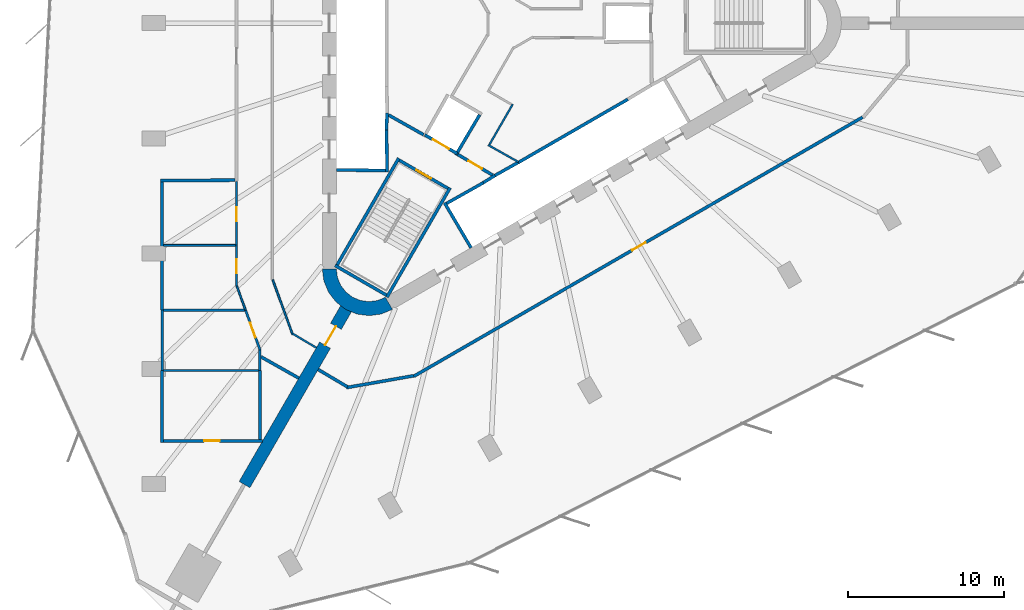
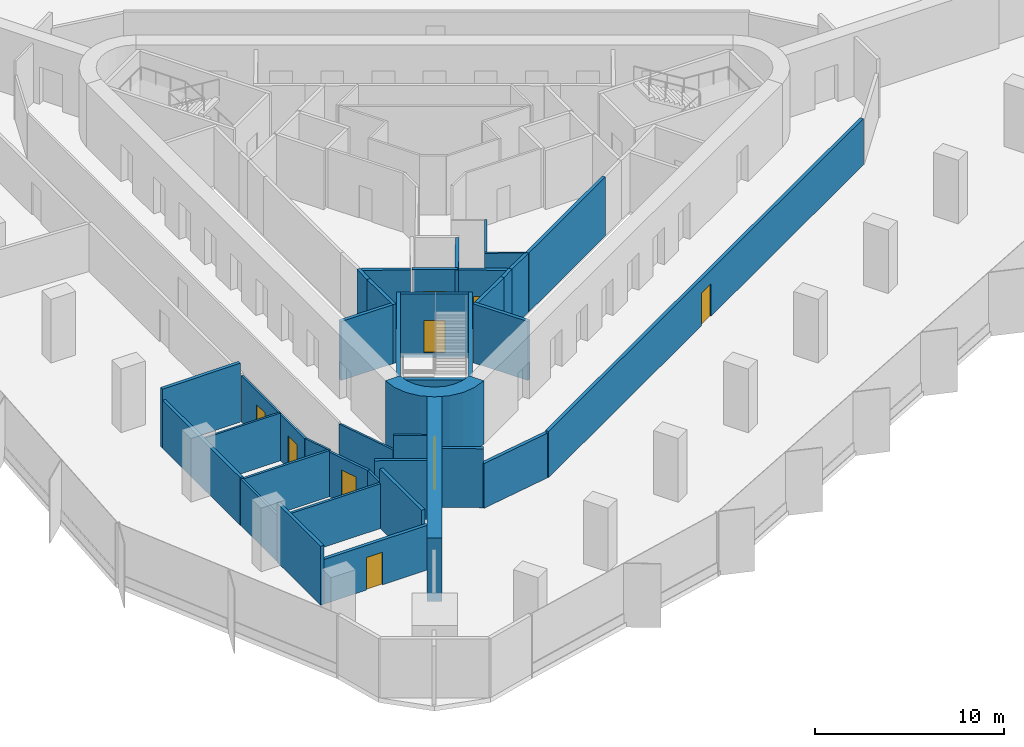
# One storey, part 9 of 14: 39 walls, 9 doors, 9 openings.
"""IFC4 building model written with IfcOpenShell, lengths in metres."""

import ifcopenshell
import ifcopenshell.guid

model = None  # the IFC model being written
_history = None  # IfcOwnerHistory: only IFC2X3 demands one
_inside = {}  # id of a spatial element -> (the spatial element, [elements in it])
_under = {}  # id of a project, library or spatial element -> (it, [spatial elements below it])
_declared = {}  # id of a project -> (the project, [libraries it declares])
_typed = {}  # id of a type object -> (the type object, [elements of that type])
_made_of = {}  # id of a material, layer set ... -> (it, [elements and type objects made of it])


def new_model(schema):
    """Start an empty IFC model of exactly this schema.

    Asked for "IFC4X3", IfcOpenShell would pick the latest addendum, in which some entities
    have other attributes; the version numbers below select the first issue.
    IFC2X3 requires an IfcOwnerHistory on every rooted entity: one is made here for all.
    """
    global model, _history
    if schema == "IFC4X3":
        model = ifcopenshell.file(schema_version=(4, 3, 0, 0))
    else:
        model = ifcopenshell.file(schema=schema)
    _inside.clear()
    _under.clear()
    _declared.clear()
    _typed.clear()
    _made_of.clear()
    _history = None
    if model.schema == "IFC2X3":
        org = make("IfcOrganization", Name="unknown")
        user = make(
            "IfcPersonAndOrganization",
            ThePerson=make("IfcPerson", FamilyName="unknown"),
            TheOrganization=org,
        )
        app = make(
            "IfcApplication",
            ApplicationDeveloper=org,
            Version="unknown",
            ApplicationFullName="unknown",
            ApplicationIdentifier="unknown",
        )
        _history = make(
            "IfcOwnerHistory",
            OwningUser=user,
            OwningApplication=app,
            ChangeAction="ADDED",
            CreationDate=0,
        )
    return model


def make(cls, **values):
    """One entity of the class cls with the attributes given. An attribute that is None is left unset."""
    return model.create_entity(
        cls, **{name: value for name, value in values.items() if value is not None}
    )


def rooted(cls, **values):
    """An entity with a GlobalId (a new one), such as an element, a storey or a relation."""
    return make(cls, GlobalId=ifcopenshell.guid.new(), OwnerHistory=_history, **values)


def si_unit(unit_type, name, prefix=None):
    """IfcSIUnit, for example si_unit("LENGTHUNIT", "METRE", prefix="MILLI")."""
    return make("IfcSIUnit", UnitType=unit_type, Prefix=prefix, Name=name)


def assignment(units):
    """IfcUnitAssignment: the units of a project."""
    return None if units is None else make("IfcUnitAssignment", Units=units)


def point(xyz):
    """IfcCartesianPoint."""
    return None if xyz is None else make("IfcCartesianPoint", Coordinates=xyz)


def direction(xyz):
    """IfcDirection."""
    return None if xyz is None else make("IfcDirection", DirectionRatios=xyz)


def frame(location, z_axis=None, x_axis=None):
    """IfcAxis2Placement3D, a coordinate frame: its origin and axes. An axis left out is left unset."""
    return make(
        "IfcAxis2Placement3D",
        Location=point(location),
        Axis=direction(z_axis),
        RefDirection=direction(x_axis),
    )


def frame_2d(location, x_axis=None):
    """IfcAxis2Placement2D, a coordinate frame in the plane: its origin and x axis."""
    return make(
        "IfcAxis2Placement2D", Location=point(location), RefDirection=direction(x_axis)
    )


def origin():
    """The frame at (0, 0, 0) with its axes left unset."""
    return frame((0.0, 0.0, 0.0))


def place(relative_to, where):
    """IfcLocalPlacement: puts the frame where relative to a parent placement (None: the world)."""
    return make(
        "IfcLocalPlacement", PlacementRelTo=relative_to, RelativePlacement=where
    )


def context(
    kind, dimensions, precision=None, world=None, true_north=None, identifier=None
):
    """IfcGeometricRepresentationContext, for example the 3D "Model" context."""
    return make(
        "IfcGeometricRepresentationContext",
        ContextIdentifier=identifier,
        ContextType=kind,
        CoordinateSpaceDimension=dimensions,
        Precision=precision,
        WorldCoordinateSystem=world,
        TrueNorth=true_north,
    )


def subcontext(parent, identifier, kind, view, scale=None):
    """IfcGeometricRepresentationSubContext, for example "Body" below "Model"."""
    return make(
        "IfcGeometricRepresentationSubContext",
        ContextIdentifier=identifier,
        ContextType=kind,
        ParentContext=parent,
        TargetScale=scale,
        TargetView=view,
    )


def project(units=None, contexts=None):
    """IfcProject with its units and contexts."""
    return rooted(
        "IfcProject",
        Name="project",
        RepresentationContexts=contexts,
        UnitsInContext=assignment(units),
    )


def spatial(cls, under=None, at=None, **own):
    """A site, building, storey or space (cls), placed at a placement, below another one or the project."""
    s = rooted(cls, ObjectPlacement=at, **own)
    if under is not None:
        _under.setdefault(under.id(), (under, []))[1].append(s)
    return s


def polyline(points):
    """IfcPolyline through the points."""
    return make("IfcPolyline", Points=[point(p) for p in points])


def profile(cls, at=None, kind="AREA", **sizes):
    """A parametric profile (cls). Its sizes go by their IFC names, for example OverallWidth=200.0."""
    return make(cls, ProfileType=kind, Position=at, **sizes)


def rectangle(**sizes):
    """IfcRectangleProfileDef."""
    return profile("IfcRectangleProfileDef", **sizes)


def outline(outer, holes=None, kind="AREA"):
    """IfcArbitraryClosedProfileDef: a profile drawn as a closed curve; with holes, ...WithVoids."""
    if holes is None:
        return make("IfcArbitraryClosedProfileDef", ProfileType=kind, OuterCurve=outer)
    return make(
        "IfcArbitraryProfileDefWithVoids",
        ProfileType=kind,
        OuterCurve=outer,
        InnerCurves=holes,
    )


def extrude(swept, where, along, depth):
    """IfcExtrudedAreaSolid: the profile swept, set in the frame where, extruded along a direction by depth."""
    return make(
        "IfcExtrudedAreaSolid",
        SweptArea=swept,
        Position=where,
        ExtrudedDirection=direction(along),
        Depth=depth,
    )


def shape(context_of_items, identifier, shape_type, items):
    """IfcShapeRepresentation: the items that make up one representation, for example the "Body"."""
    return make(
        "IfcShapeRepresentation",
        ContextOfItems=context_of_items,
        RepresentationIdentifier=identifier,
        RepresentationType=shape_type,
        Items=items,
    )


def material(Name=None, Category=None):
    """IfcMaterial."""
    return make("IfcMaterial", Name=Name, Category=Category)


def layer(
    of_material, thickness, ventilated=None, Name=None, Category=None, Priority=None
):
    """IfcMaterialLayer: one layer of a wall or slab, of a material (None: an air gap)."""
    return make(
        "IfcMaterialLayer",
        Material=of_material,
        LayerThickness=thickness,
        IsVentilated=ventilated,
        Name=Name,
        Category=Category,
        Priority=Priority,
    )


def layer_set(layers, Name=None):
    """IfcMaterialLayerSet."""
    return make("IfcMaterialLayerSet", MaterialLayers=layers, LayerSetName=Name)


def made_of(thing, what):
    """Note that an element or type object is made of a material, layer set ...; save() writes the relation."""
    if what is not None:
        _made_of.setdefault(what.id(), (what, []))[1].append(thing)
    return thing


def type_object(cls, material=None, **own):
    """A type object (cls), such as IfcWallType, which elements share."""
    return made_of(rooted(cls, **own), material)


def element(
    cls,
    number,
    at=None,
    inside=None,
    cuts=None,
    type_object=None,
    material=None,
    context=None,
    identifier="Body",
    shape_type=None,
    held_by="IfcProductDefinitionShape",
    body=None,
    shapes=None,
    **own,
):
    """One element of the class cls, such as IfcWall. Its Tag is "e" and its number.

    at: its placement. inside: the storey or other place that contains it. cuts: it is an
    opening in that element (IfcRelVoidsElement). A single representation is given by context,
    identifier, shape_type and body (its items); several are given by shapes. held_by: the class
    of the entity that holds the representations. save() writes the other relations.
    """
    e = rooted(cls, Tag="e%d" % number, ObjectPlacement=at, **own)
    if body is not None:
        shapes = [shape(context, identifier, shape_type, body)]
    if shapes is not None:
        e.Representation = make(held_by, Representations=shapes)
    if inside is not None:
        _inside.setdefault(inside.id(), (inside, []))[1].append(e)
    if cuts is not None:
        rooted(
            "IfcRelVoidsElement", RelatingBuildingElement=cuts, RelatedOpeningElement=e
        )
    if type_object is not None:
        _typed.setdefault(type_object.id(), (type_object, []))[1].append(e)
    return made_of(e, material)


def fill(opening, filler):
    """IfcRelFillsElement: the door or window that sits in an opening."""
    return rooted(
        "IfcRelFillsElement",
        RelatingOpeningElement=opening,
        RelatedBuildingElement=filler,
    )


def aggregate(whole, parts):
    """IfcRelAggregates: a whole, such as a stair, and the parts it consists of."""
    return rooted("IfcRelAggregates", RelatingObject=whole, RelatedObjects=parts)


def save(model, path):
    """Write the relations noted so far, then the file.

    IfcRelAggregates (storeys below a building ...), IfcRelContainedInSpatialStructure (elements
    in a storey), IfcRelDefinesByType, IfcRelAssociatesMaterial and IfcRelDeclares: one each for
    every whole, place, type object, material and project.
    """
    for whole, parts in _under.values():
        aggregate(whole, parts)
    for where, things in _inside.values():
        rooted(
            "IfcRelContainedInSpatialStructure",
            RelatedElements=things,
            RelatingStructure=where,
        )
    for kind, things in _typed.values():
        rooted("IfcRelDefinesByType", RelatedObjects=things, RelatingType=kind)
    for what, things in _made_of.values():
        rooted("IfcRelAssociatesMaterial", RelatedObjects=things, RelatingMaterial=what)
    for by, libraries in _declared.values():
        rooted("IfcRelDeclares", RelatingContext=by, RelatedDefinitions=libraries)
    model.write(path)


model = new_model("IFC4")

# Units and contexts
model_context = context("Model", 3, precision=1e-05, world=origin(), true_north=direction((0.0, 1.0)))
body_context = subcontext(model_context, "Body", "Model", "MODEL_VIEW")
ifc_project = project(units=[si_unit("LENGTHUNIT", "METRE"), si_unit("AREAUNIT", "SQUARE_METRE"), si_unit("VOLUMEUNIT", "CUBIC_METRE"), si_unit("PLANEANGLEUNIT", "RADIAN"), si_unit("MASSUNIT", "GRAM", prefix="KILO")], contexts=[model_context])

# Site, building, storey
site_placement = place(None, origin())
site = spatial("IfcSite", under=ifc_project, at=site_placement, CompositionType="ELEMENT")
building_placement = place(site_placement, origin())
building = spatial("IfcBuilding", under=site, at=building_placement, Name="Tanit Gate Tower", CompositionType="ELEMENT")
storey_placement = place(building_placement, frame((0.0, 0.0, 107.0)))
storey = spatial("IfcBuildingStorey", under=building, at=storey_placement, Name="L22", CompositionType="ELEMENT", Elevation=107.0)

# Wall, opening, door
ifc_material_1 = material(Name="Concrete C60/75", Category="concrete")
ifc_layer_1 = layer(ifc_material_1, 0.800048828125)
ifc_layer_set_1 = layer_set([ifc_layer_1], Name="BUTTRESS FIN 800 C60/75")
wall_type_1 = type_object("IfcWallType", Name="BUTTRESS FIN 800 C60/75", PredefinedType="SHEAR", material=ifc_layer_set_1)
wall_1_placement = place(storey_placement, frame((-10.574951171875, -18.31640625, 0.0), z_axis=(0.0, 0.0, 1.0), x_axis=(-0.500003112169, -0.866023606965, 0.0)))
wall_1 = element("IfcWall", 1, at=wall_1_placement, inside=storey, type_object=wall_type_1, Name="BUTTRESS FIN", PredefinedType="SHEAR", context=body_context, shape_type="SweptSolid", body=[
    extrude(rectangle(XDim=13.02685546875, YDim=0.800048828125, at=frame_2d((6.513427734375, 0.0))), origin(), (0.0, 0.0, 1.0), 4.10009765625),
])
opening_1_placement = place(wall_1_placement, frame((1.300048828125, 0.0, 0.0)))
opening_1 = element("IfcOpeningElement", 2, at=opening_1_placement, cuts=wall_1, Name="Opening P14-S05-F-SW-1", PredefinedType="OPENING", context=body_context, shape_type="SweptSolid", body=[
    extrude(rectangle(XDim=1.39990234375, YDim=2.39990234375, at=frame_2d((0.699951171875, 1.199951171875))), frame((0.0, 0.41015625, 0.0), z_axis=(0.0, -1.0, 0.0), x_axis=(1.0, 0.0, 0.0)), (0.0, 0.0, 1.0), 0.820068359375),
])
ifc_material_2 = material(Name="Timber door leaf", Category="wood")
door_type_1 = type_object("IfcDoorType", Name="INT-DOOR-FIN-PAIR-1400", OperationType="NOTDEFINED", PredefinedType="NOTDEFINED", material=ifc_material_2)
door_1_placement = place(opening_1_placement, origin())
door_1 = element("IfcDoor", 3, at=door_1_placement, inside=storey, type_object=door_type_1, Name="Door P14-S05-F-SW-1", OperationType="DOUBLE_DOOR_SINGLE_SWING", OverallHeight=2.39990234375, OverallWidth=1.39990234375, PredefinedType="NOTDEFINED", context=body_context, shape_type="SweptSolid", body=[
    extrude(rectangle(XDim=1.39990234375, YDim=2.39990234375, at=frame_2d((0.699951171875, 1.199951171875))), frame((0.0, 0.02490234375, 0.0), z_axis=(0.0, -1.0, 0.0), x_axis=(1.0, 0.0, 0.0)), (0.0, 0.0, 1.0), 0.050048828125),
])
fill(opening_1, door_1)

# Walls
ifc_material_3 = material(Name="Concrete C60/75", Category="concrete")
ifc_layer_2 = layer(ifc_material_3, 0.89990234375)
ifc_layer_set_2 = layer_set([ifc_layer_2], Name="CORE WALL 900 C60/75")
wall_type_2 = type_object("IfcWallType", Name="CORE WALL 900 C60/75", PredefinedType="SHEAR", material=ifc_layer_set_2)
wall_2_placement = place(storey_placement, origin())
element("IfcWall", 4, at=wall_2_placement, inside=storey, type_object=wall_type_2, Name="CORE WALL CORNER", PredefinedType="SHEAR", context=body_context, shape_type="SweptSolid", body=[
    extrude(outline(polyline([(-12.10009765625, -15.76171875), (-11.997802734375, -16.5380859375), (-11.697998046875, -17.26171875), (-11.22119140625, -17.883056640625), (-10.60009765625, -18.359619140625), (-9.87646484375, -18.659423828125), (-9.10009765625, -18.76171875), (-8.323486328125, -18.659423828125), (-7.60009765625, -18.359619140625), (-8.050048828125, -17.580322265625), (-8.556396484375, -17.7900390625), (-9.10009765625, -17.86181640625), (-9.6435546875, -17.7900390625), (-10.14990234375, -17.580322265625), (-10.5849609375, -17.24658203125), (-10.918701171875, -16.811767578125), (-11.12841796875, -16.30517578125), (-11.199951171875, -15.76171875), (-12.10009765625, -15.76171875)])), origin(), (0.0, 0.0, 1.0), 4.10009765625),
])
ifc_material_4 = material(Name="Fire-rated gypsum board partition")
ifc_layer_3 = layer(ifc_material_4, 0.199951171875)
ifc_layer_set_3 = layer_set([ifc_layer_3], Name="INT-WALL-COMPARTMENT")
wall_type_3 = type_object("IfcWallType", Name="INT-WALL-COMPARTMENT", PredefinedType="PARTITIONING", material=ifc_layer_set_3)
wall_3_placement = place(storey_placement, frame((-7.84912109375, -5.893798828125, 0.0), z_axis=(0.0, 0.0, 1.0), x_axis=(0.871340486379, -0.490678873396, 0.0)))
element("IfcWall", 5, at=wall_3_placement, inside=storey, type_object=wall_type_3, Name="Wall Compartment W063", PredefinedType="PARTITIONING", context=body_context, shape_type="SweptSolid", body=[
    extrude(rectangle(XDim=2.580810546875, YDim=0.199951171875, at=frame_2d((1.29052734375, 0.0))), origin(), (0.0, 0.0, 1.0), 3.800048828125),
])

# Wall, opening, door
wall_4_placement = place(storey_placement, frame((-3.400634765625, -8.43017578125, 0.0), z_axis=(0.0, 0.0, 1.0), x_axis=(0.860598681535, -0.509283721849, 0.0)))
wall_4 = element("IfcWall", 6, at=wall_4_placement, inside=storey, type_object=wall_type_3, Name="Wall Compartment W064", PredefinedType="PARTITIONING", context=body_context, shape_type="SweptSolid", body=[
    extrude(rectangle(XDim=2.5810546875, YDim=0.199951171875, at=frame_2d((1.29052734375, 0.0))), origin(), (0.0, 0.0, 1.0), 3.800048828125),
])
opening_2_placement = place(wall_4_placement, frame((0.79052734375, 0.0, 0.0)))
opening_2 = element("IfcOpeningElement", 7, at=opening_2_placement, cuts=wall_4, Name="Opening F10-S05-08", PredefinedType="OPENING", context=body_context, shape_type="SweptSolid", body=[
    extrude(rectangle(XDim=1.0, YDim=2.10009765625, at=frame_2d((0.5, 1.050048828125))), frame((0.0, 0.10986328125, 0.0), z_axis=(0.0, -1.0, 0.0), x_axis=(1.0, 0.0, 0.0)), (0.0, 0.0, 1.0), 0.219970703125),
])
ifc_material_5 = material(Name="Fire-rated steel door leaf", Category="steel")
door_type_2 = type_object("IfcDoorType", Name="INT-DOOR-FIRE-1000", OperationType="NOTDEFINED", PredefinedType="USERDEFINED", material=ifc_material_5)
door_2_placement = place(opening_2_placement, origin())
door_2 = element("IfcDoor", 8, at=door_2_placement, inside=storey, type_object=door_type_2, Name="Door F10-S05-08", ObjectType="FIRE DOOR", OperationType="SINGLE_SWING_LEFT", OverallHeight=2.10009765625, OverallWidth=1.0, PredefinedType="USERDEFINED", context=body_context, shape_type="SweptSolid", body=[
    extrude(rectangle(XDim=1.0, YDim=2.10009765625, at=frame_2d((0.5, 1.050048828125))), frame((0.0, 0.02490234375, 0.0), z_axis=(0.0, -1.0, 0.0), x_axis=(1.0, 0.0, 0.0)), (0.0, 0.0, 1.0), 0.050048828125),
])
fill(opening_2, door_2)

# Wall
wall_5_placement = place(storey_placement, frame((-16.02490234375, -21.402587890625, 0.0), z_axis=(0.0, 0.0, 1.0), x_axis=(0.870940841338, -0.491387882318, 0.0)))
element("IfcWall", 9, at=wall_5_placement, inside=storey, type_object=wall_type_3, Name="Wall Compartment W090", PredefinedType="PARTITIONING", context=body_context, shape_type="SweptSolid", body=[
    extrude(rectangle(XDim=2.77685546875, YDim=0.199951171875, at=frame_2d((1.388427734375, 0.0))), origin(), (0.0, 0.0, 1.0), 3.800048828125),
])

# Wall, opening, door
wall_6_placement = place(storey_placement, frame((-6.227294921875, -22.64794921875, 0.0), z_axis=(0.0, 0.0, 1.0), x_axis=(0.866024349396, 0.50000182625, 0.0)))
wall_6 = element("IfcWall", 10, at=wall_6_placement, inside=storey, type_object=wall_type_3, Name="Wall Compartment W106", PredefinedType="PARTITIONING", context=body_context, shape_type="SweptSolid", body=[
    extrude(rectangle(XDim=33.23388671875, YDim=0.199951171875, at=frame_2d((16.616943359375, 0.0))), origin(), (0.0, 0.0, 1.0), 2.97998046875),
])
opening_3_placement = place(wall_6_placement, frame((16.166748046875, 0.0, 0.0)))
opening_3 = element("IfcOpeningElement", 11, at=opening_3_placement, cuts=wall_6, Name="Opening F10-S05-23", PredefinedType="OPENING", context=body_context, shape_type="SweptSolid", body=[
    extrude(rectangle(XDim=1.0, YDim=2.10009765625, at=frame_2d((0.5, 1.050048828125))), frame((0.0, 0.10986328125, 0.0), z_axis=(0.0, -1.0, 0.0), x_axis=(1.0, 0.0, 0.0)), (0.0, 0.0, 1.0), 0.219970703125),
])
door_3_placement = place(opening_3_placement, origin())
door_3 = element("IfcDoor", 12, at=door_3_placement, inside=storey, type_object=door_type_2, Name="Door F10-S05-23", ObjectType="FIRE DOOR", OperationType="SINGLE_SWING_LEFT", OverallHeight=2.10009765625, OverallWidth=1.0, PredefinedType="USERDEFINED", context=body_context, shape_type="SweptSolid", body=[
    extrude(rectangle(XDim=1.0, YDim=2.10009765625, at=frame_2d((0.5, 1.050048828125))), frame((0.0, 0.02490234375, 0.0), z_axis=(0.0, -1.0, 0.0), x_axis=(1.0, 0.0, 0.0)), (0.0, 0.0, 1.0), 0.050048828125),
])
fill(opening_3, door_3)

# Walls
wall_7_placement = place(storey_placement, frame((-10.5537109375, -23.3759765625, 0.0), z_axis=(0.0, 0.0, 1.0), x_axis=(0.984809913529, 0.173635924323, 0.0)))
element("IfcWall", 13, at=wall_7_placement, inside=storey, type_object=wall_type_3, Name="Wall Compartment W107", PredefinedType="PARTITIONING", context=body_context, shape_type="SweptSolid", body=[
    extrude(rectangle(XDim=4.38134765625, YDim=0.199951171875, at=frame_2d((2.190673828125, 0.0))), origin(), (0.0, 0.0, 1.0), 2.8798828125),
])
wall_8_placement = place(storey_placement, frame((-12.364013671875, -22.215087890625, 0.0), z_axis=(0.0, 0.0, 1.0), x_axis=(0.860324145196, -0.509747354278, 0.0)))
element("IfcWall", 14, at=wall_8_placement, inside=storey, type_object=wall_type_3, Name="Wall Compartment W108", PredefinedType="PARTITIONING", context=body_context, shape_type="SweptSolid", body=[
    extrude(rectangle(XDim=2.188720703125, YDim=0.199951171875, at=frame_2d((1.09423828125, 0.0))), origin(), (0.0, 0.0, 1.0), 3.800048828125),
])
wall_9_placement = place(storey_placement, frame((-17.699951171875, -10.070556640625, 0.0), z_axis=(0.0, 0.0, 1.0), x_axis=(-0.999980184405, -0.006295299554, 0.0)))
element("IfcWall", 15, at=wall_9_placement, inside=storey, type_object=wall_type_3, Name="Wall Compartment W112", PredefinedType="PARTITIONING", context=body_context, shape_type="SweptSolid", body=[
    extrude(rectangle(XDim=4.77001953125, YDim=0.199951171875, at=frame_2d((2.385009765625, 0.0))), origin(), (0.0, 0.0, 1.0), 3.800048828125),
])
wall_10_placement = place(storey_placement, frame((-22.3701171875, -26.889892578125, 0.0), z_axis=(0.0, 0.0, 1.0), x_axis=(0.0, 1.0, 0.0)))
element("IfcWall", 16, at=wall_10_placement, inside=storey, type_object=wall_type_3, Name="Wall Compartment W117", PredefinedType="PARTITIONING", context=body_context, shape_type="SweptSolid", body=[
    extrude(rectangle(XDim=4.622314453125, YDim=0.199951171875, at=frame_2d((2.31103515625, 0.0))), origin(), (0.0, 0.0, 1.0), 3.800048828125),
])
wall_11_placement = place(storey_placement, frame((-22.3701171875, -18.3955078125, 0.0), z_axis=(0.0, 0.0, 1.0), x_axis=(0.0, 1.0, 0.0)))
element("IfcWall", 17, at=wall_11_placement, inside=storey, type_object=wall_type_3, Name="Wall Compartment W114", PredefinedType="PARTITIONING", context=body_context, shape_type="SweptSolid", body=[
    extrude(rectangle(XDim=8.195556640625, YDim=0.199951171875, at=frame_2d((4.09765625, 0.0))), origin(), (0.0, 0.0, 1.0), 3.080078125),
])

# Wall, opening, door
wall_12_placement = place(storey_placement, frame((-22.27001953125, -26.7900390625, 0.0), z_axis=(0.0, 0.0, 1.0), x_axis=(1.0, 0.0, 0.0)))
wall_12 = element("IfcWall", 18, at=wall_12_placement, inside=storey, type_object=wall_type_3, Name="Wall Compartment W118", PredefinedType="PARTITIONING", context=body_context, shape_type="SweptSolid", body=[
    extrude(rectangle(XDim=6.3408203125, YDim=0.199951171875, at=frame_2d((3.17041015625, 0.0))), origin(), (0.0, 0.0, 1.0), 2.8798828125),
])
opening_4_placement = place(wall_12_placement, frame((2.5849609375, 0.0, 0.0)))
opening_4 = element("IfcOpeningElement", 19, at=opening_4_placement, cuts=wall_12, Name="Opening F10-S05-19", PredefinedType="OPENING", context=body_context, shape_type="SweptSolid", body=[
    extrude(rectangle(XDim=1.0, YDim=2.10009765625, at=frame_2d((0.5, 1.050048828125))), frame((0.0, 0.10986328125, 0.0), z_axis=(0.0, -1.0, 0.0), x_axis=(1.0, 0.0, 0.0)), (0.0, 0.0, 1.0), 0.219970703125),
])
door_4_placement = place(opening_4_placement, origin())
door_4 = element("IfcDoor", 20, at=door_4_placement, inside=storey, type_object=door_type_2, Name="Door F10-S05-19", ObjectType="FIRE DOOR", OperationType="SINGLE_SWING_RIGHT", OverallHeight=2.10009765625, OverallWidth=1.0, PredefinedType="USERDEFINED", context=body_context, shape_type="SweptSolid", body=[
    extrude(rectangle(XDim=1.0, YDim=2.10009765625, at=frame_2d((0.5, 1.050048828125))), frame((0.0, 0.02490234375, 0.0), z_axis=(0.0, -1.0, 0.0), x_axis=(1.0, 0.0, 0.0)), (0.0, 0.0, 1.0), 0.050048828125),
])
fill(opening_4, door_4)

# Walls
wall_13_placement = place(storey_placement, frame((-16.10009765625, -26.68994140625, 0.0), z_axis=(0.0, 0.0, 1.0), x_axis=(0.0, 1.0, 0.0)))
element("IfcWall", 21, at=wall_13_placement, inside=storey, type_object=wall_type_3, Name="Wall Compartment W119", PredefinedType="PARTITIONING", context=body_context, shape_type="SweptSolid", body=[
    extrude(rectangle(XDim=4.42236328125, YDim=0.199951171875, at=frame_2d((2.211181640625, 0.0))), origin(), (0.0, 0.0, 1.0), 3.800048828125),
])
ifc_material_6 = material(Name="Gypsum board partition")
ifc_layer_4 = layer(ifc_material_6, 0.1201171875)
ifc_layer_set_4 = layer_set([ifc_layer_4], Name="INT-WALL-PARTITION")
wall_type_4 = type_object("IfcWallType", Name="INT-WALL-PARTITION", PredefinedType="PARTITIONING", material=ifc_layer_set_4)
wall_14_placement = place(storey_placement, frame((-1.464111328125, -7.81591796875, 0.0), z_axis=(0.0, 0.0, 1.0), x_axis=(0.871880202732, -0.489719217597, 0.0)))
element("IfcWall", 22, at=wall_14_placement, inside=storey, type_object=wall_type_4, Name="Wall Partition W068", PredefinedType="PARTITIONING", context=body_context, shape_type="SweptSolid", body=[
    extrude(rectangle(XDim=2.224365234375, YDim=0.1201171875, at=frame_2d((1.1123046875, 0.0))), origin(), (0.0, 0.0, 1.0), 3.800048828125),
])
wall_15_placement = place(storey_placement, frame((0.1181640625, -5.195068359375, 0.0), z_axis=(0.0, 0.0, 1.0), x_axis=(-0.499990139034, -0.866031096941, 0.0)))
element("IfcWall", 23, at=wall_15_placement, inside=storey, type_object=wall_type_4, Name="Wall Partition W069", PredefinedType="PARTITIONING", context=body_context, shape_type="SweptSolid", body=[
    extrude(rectangle(XDim=3.0, YDim=0.1201171875, at=frame_2d((1.5, 0.0))), origin(), (0.0, 0.0, 1.0), 3.800048828125),
])
wall_16_placement = place(storey_placement, frame((-15.279541015625, -16.461669921875, 0.0), z_axis=(0.0, 0.0, 1.0), x_axis=(0.34206888523, -0.939674878752, 0.0)))
element("IfcWall", 24, at=wall_16_placement, inside=storey, type_object=wall_type_4, Name="Wall Partition W087", PredefinedType="PARTITIONING", context=body_context, shape_type="SweptSolid", body=[
    extrude(rectangle(XDim=3.72998046875, YDim=0.1201171875, at=frame_2d((1.864990234375, 0.0))), origin(), (0.0, 0.0, 1.0), 2.8798828125),
])
wall_17_placement = place(storey_placement, frame((-14.005126953125, -19.91162109375, 0.0), z_axis=(0.0, 0.0, 1.0), x_axis=(0.859128591272, -0.511759771435, 0.0)))
element("IfcWall", 25, at=wall_17_placement, inside=storey, type_object=wall_type_4, Name="Wall Partition W088", PredefinedType="PARTITIONING", context=body_context, shape_type="SweptSolid", body=[
    extrude(rectangle(XDim=1.773193359375, YDim=0.1201171875, at=frame_2d((0.88671875, 0.0))), origin(), (0.0, 0.0, 1.0), 3.800048828125),
])

# Wall, openings, doors
wall_18_placement = place(storey_placement, frame((-17.60009765625, -10.169921875, 0.0), z_axis=(0.0, 0.0, 1.0), x_axis=(0.0, -1.0, 0.0)))
wall_18 = element("IfcWall", 26, at=wall_18_placement, inside=storey, type_object=wall_type_4, Name="Wall Partition W095", PredefinedType="PARTITIONING", context=body_context, shape_type="SweptSolid", body=[
    extrude(rectangle(XDim=6.700927734375, YDim=0.1201171875, at=frame_2d((3.3505859375, 0.0))), origin(), (0.0, 0.0, 1.0), 2.97998046875),
])
opening_5_placement = place(wall_18_placement, frame((1.623291015625, 0.0, 0.0)))
opening_5 = element("IfcOpeningElement", 27, at=opening_5_placement, cuts=wall_18, Name="Opening D09-S05-16", PredefinedType="OPENING", context=body_context, shape_type="SweptSolid", body=[
    extrude(rectangle(XDim=0.89990234375, YDim=2.10009765625, at=frame_2d((0.449951171875, 1.050048828125))), frame((0.0, 0.070068359375, 0.0), z_axis=(0.0, -1.0, 0.0), x_axis=(1.0, 0.0, 0.0)), (0.0, 0.0, 1.0), 0.14013671875),
])
opening_6_placement = place(wall_18_placement, frame((4.9736328125, 0.0, 0.0)))
opening_6 = element("IfcOpeningElement", 28, at=opening_6_placement, cuts=wall_18, Name="Opening D09-S05-17", PredefinedType="OPENING", context=body_context, shape_type="SweptSolid", body=[
    extrude(rectangle(XDim=0.89990234375, YDim=2.10009765625, at=frame_2d((0.449951171875, 1.050048828125))), frame((0.0, 0.070068359375, 0.0), z_axis=(0.0, -1.0, 0.0), x_axis=(1.0, 0.0, 0.0)), (0.0, 0.0, 1.0), 0.14013671875),
])
ifc_material_7 = material(Name="Timber door leaf", Category="wood")
door_type_3 = type_object("IfcDoorType", Name="INT-DOOR-SINGLE-900", OperationType="NOTDEFINED", PredefinedType="NOTDEFINED", material=ifc_material_7)
door_5_placement = place(opening_5_placement, origin())
door_5 = element("IfcDoor", 29, at=door_5_placement, inside=storey, type_object=door_type_3, Name="Door D09-S05-16", OperationType="SINGLE_SWING_RIGHT", OverallHeight=2.10009765625, OverallWidth=0.89990234375, PredefinedType="NOTDEFINED", context=body_context, shape_type="SweptSolid", body=[
    extrude(rectangle(XDim=0.89990234375, YDim=2.10009765625, at=frame_2d((0.449951171875, 1.050048828125))), frame((0.0, 0.02490234375, 0.0), z_axis=(0.0, -1.0, 0.0), x_axis=(1.0, 0.0, 0.0)), (0.0, 0.0, 1.0), 0.050048828125),
])
fill(opening_5, door_5)
door_6_placement = place(opening_6_placement, origin())
door_6 = element("IfcDoor", 30, at=door_6_placement, inside=storey, type_object=door_type_3, Name="Door D09-S05-17", OperationType="SINGLE_SWING_LEFT", OverallHeight=2.10009765625, OverallWidth=0.89990234375, PredefinedType="NOTDEFINED", context=body_context, shape_type="SweptSolid", body=[
    extrude(rectangle(XDim=0.89990234375, YDim=2.10009765625, at=frame_2d((0.449951171875, 1.050048828125))), frame((0.0, 0.02490234375, 0.0), z_axis=(0.0, -1.0, 0.0), x_axis=(1.0, 0.0, 0.0)), (0.0, 0.0, 1.0), 0.050048828125),
])
fill(opening_6, door_6)

# Walls
wall_19_placement = place(storey_placement, frame((-17.57958984375, -16.8671875, 0.0), z_axis=(0.0, 0.0, 1.0), x_axis=(0.342113754223, -0.939658543925, 0.0)))
element("IfcWall", 31, at=wall_19_placement, inside=storey, type_object=wall_type_4, Name="Wall Partition W096", PredefinedType="PARTITIONING", context=body_context, shape_type="SweptSolid", body=[
    extrude(rectangle(XDim=1.63916015625, YDim=0.1201171875, at=frame_2d((0.819580078125, 0.0))), origin(), (0.0, 0.0, 1.0), 2.97998046875),
])
wall_20_placement = place(storey_placement, frame((-17.659912109375, -14.25634765625, 0.0), z_axis=(0.0, 0.0, 1.0), x_axis=(-1.0, 0.0, 0.0)))
element("IfcWall", 32, at=wall_20_placement, inside=storey, type_object=wall_type_4, Name="Wall Partition W124", PredefinedType="PARTITIONING", context=body_context, shape_type="SweptSolid", body=[
    extrude(rectangle(XDim=4.610107421875, YDim=0.1201171875, at=frame_2d((2.30517578125, 0.0))), origin(), (0.0, 0.0, 1.0), 3.080078125),
])

# Wall, opening, door
ifc_material_8 = material(Name="Fire-rated gypsum board partition")
ifc_layer_5 = layer(ifc_material_8, 0.14990234375)
ifc_layer_set_5 = layer_set([ifc_layer_5], Name="INT-WALL-RISER")
wall_type_5 = type_object("IfcWallType", Name="INT-WALL-RISER", PredefinedType="PLUMBINGWALL", material=ifc_layer_set_5)
wall_21_placement = place(storey_placement, frame((-17.018798828125, -18.407470703125, 0.0), z_axis=(0.0, 0.0, 1.0), x_axis=(0.341987834354, -0.939704379661, 0.0)))
wall_21 = element("IfcWall", 33, at=wall_21_placement, inside=storey, type_object=wall_type_5, Name="Wall Riser W098", PredefinedType="PLUMBINGWALL", context=body_context, shape_type="SweptSolid", body=[
    extrude(rectangle(XDim=2.72265625, YDim=0.14990234375, at=frame_2d((1.361328125, 0.0))), origin(), (0.0, 0.0, 1.0), 2.8798828125),
])
opening_7_placement = place(wall_21_placement, frame((0.861572265625, 0.0, 0.0)))
opening_7 = element("IfcOpeningElement", 34, at=opening_7_placement, cuts=wall_21, Name="Opening F10-S05-18", PredefinedType="OPENING", context=body_context, shape_type="SweptSolid", body=[
    extrude(rectangle(XDim=1.0, YDim=2.10009765625, at=frame_2d((0.5, 1.050048828125))), frame((0.0, 0.0849609375, 0.0), z_axis=(0.0, -1.0, 0.0), x_axis=(1.0, 0.0, 0.0)), (0.0, 0.0, 1.0), 0.169921875),
])
door_7_placement = place(opening_7_placement, origin())
door_7 = element("IfcDoor", 35, at=door_7_placement, inside=storey, type_object=door_type_2, Name="Door F10-S05-18", ObjectType="FIRE DOOR", OperationType="SINGLE_SWING_LEFT", OverallHeight=2.10009765625, OverallWidth=1.0, PredefinedType="USERDEFINED", context=body_context, shape_type="SweptSolid", body=[
    extrude(rectangle(XDim=1.0, YDim=2.10009765625, at=frame_2d((0.5, 1.050048828125))), frame((0.0, 0.02490234375, 0.0), z_axis=(0.0, -1.0, 0.0), x_axis=(1.0, 0.0, 0.0)), (0.0, 0.0, 1.0), 0.050048828125),
])
fill(opening_7, door_7)

# Walls
wall_22_placement = place(storey_placement, frame((-22.3701171875, -22.267578125, 0.0), z_axis=(0.0, 0.0, 1.0), x_axis=(0.0, 1.0, 0.0)))
element("IfcWall", 36, at=wall_22_placement, inside=storey, type_object=wall_type_5, Name="Wall Riser W115", PredefinedType="PLUMBINGWALL", context=body_context, shape_type="SweptSolid", body=[
    extrude(rectangle(XDim=3.8720703125, YDim=0.14990234375, at=frame_2d((1.93603515625, 0.0))), origin(), (0.0, 0.0, 1.0), 2.97998046875),
])
wall_23_placement = place(storey_placement, frame((-16.10009765625, -22.267578125, 0.0), z_axis=(0.0, 0.0, 1.0), x_axis=(0.0, 1.0, 0.0)))
element("IfcWall", 37, at=wall_23_placement, inside=storey, type_object=wall_type_5, Name="Wall Riser W116", PredefinedType="PLUMBINGWALL", context=body_context, shape_type="SweptSolid", body=[
    extrude(rectangle(XDim=1.320068359375, YDim=0.14990234375, at=frame_2d((0.66015625, 0.0))), origin(), (0.0, 0.0, 1.0), 2.8798828125),
])
wall_24_placement = place(storey_placement, frame((-17.084228515625, -18.403076171875, 0.0), z_axis=(0.0, 0.0, 1.0), x_axis=(-1.0, 0.0, 0.0)))
element("IfcWall", 38, at=wall_24_placement, inside=storey, type_object=wall_type_5, Name="Wall Riser W125", PredefinedType="PLUMBINGWALL", context=body_context, shape_type="SweptSolid", body=[
    extrude(rectangle(XDim=5.185791015625, YDim=0.14990234375, at=frame_2d((2.5927734375, 0.0))), origin(), (0.0, 0.0, 1.0), 2.97998046875),
])
wall_25_placement = place(storey_placement, frame((-16.175048828125, -22.27490234375, 0.0), z_axis=(0.0, 0.0, 1.0), x_axis=(-1.0, 0.0, 0.0)))
element("IfcWall", 39, at=wall_25_placement, inside=storey, type_object=wall_type_5, Name="Wall Riser W126", PredefinedType="PLUMBINGWALL", context=body_context, shape_type="SweptSolid", body=[
    extrude(rectangle(XDim=6.119873046875, YDim=0.14990234375, at=frame_2d((3.06005859375, 0.0))), origin(), (0.0, 0.0, 1.0), 2.8798828125),
])
ifc_material_9 = material(Name="Gypsum shaft wall system")
ifc_layer_6 = layer(ifc_material_9, 0.199951171875)
ifc_layer_set_6 = layer_set([ifc_layer_6], Name="INT-WALL-SHAFT")
wall_type_6 = type_object("IfcWallType", Name="INT-WALL-SHAFT", PredefinedType="PLUMBINGWALL", material=ifc_layer_set_6)
wall_26_placement = place(storey_placement, frame((-7.949951171875, -5.7724609375, 0.0), z_axis=(0.0, 0.0, 1.0), x_axis=(-0.030803413295, -0.999525462272, 0.0)))
element("IfcWall", 40, at=wall_26_placement, inside=storey, type_object=wall_type_6, Name="Wall Shaft W009", PredefinedType="PLUMBINGWALL", context=body_context, shape_type="SweptSolid", body=[
    extrude(rectangle(XDim=1.077880859375, YDim=0.199951171875, at=frame_2d((0.5390625, 0.0))), origin(), (0.0, 0.0, 1.0), 3.800048828125),
])
wall_27_placement = place(storey_placement, frame((-7.97900390625, -6.85009765625, 0.0), z_axis=(0.0, 0.0, 1.0), x_axis=(0.011121475088, -0.999938154483, 0.0)))
element("IfcWall", 41, at=wall_27_placement, inside=storey, type_object=wall_type_6, Name="Wall Shaft W011", PredefinedType="PLUMBINGWALL", context=body_context, shape_type="SweptSolid", body=[
    extrude(rectangle(XDim=2.7001953125, YDim=0.199951171875, at=frame_2d((1.35009765625, 0.0))), origin(), (0.0, 0.0, 1.0), 3.800048828125),
])
wall_28_placement = place(storey_placement, frame((-8.050048828125, -9.448974609375, 0.0), z_axis=(0.0, 0.0, 1.0), x_axis=(-0.999957467379, 0.009222983926, 0.0)))
element("IfcWall", 42, at=wall_28_placement, inside=storey, type_object=wall_type_6, Name="Wall Shaft W012", PredefinedType="PLUMBINGWALL", context=body_context, shape_type="SweptSolid", body=[
    extrude(rectangle(XDim=3.150146484375, YDim=0.199951171875, at=frame_2d((1.5751953125, 0.0))), origin(), (0.0, 0.0, 1.0), 3.800048828125),
])
wall_29_placement = place(storey_placement, frame((0.482666015625, -8.935791015625, 0.0), z_axis=(0.0, 0.0, 1.0), x_axis=(0.866030989016, 0.499990325971, 0.0)))
element("IfcWall", 43, at=wall_29_placement, inside=storey, type_object=wall_type_6, Name="Wall Shaft W031", PredefinedType="PLUMBINGWALL", context=body_context, shape_type="SweptSolid", body=[
    extrude(rectangle(XDim=8.099853515625, YDim=0.199951171875, at=frame_2d((4.0498046875, 0.0))), origin(), (0.0, 0.0, 1.0), 3.800048828125),
])
wall_30_placement = place(storey_placement, frame((-2.557861328125, -14.409423828125, 0.0), z_axis=(0.0, 0.0, 1.0), x_axis=(-0.507997497166, 0.861358544901, 0.0)))
element("IfcWall", 44, at=wall_30_placement, inside=storey, type_object=wall_type_6, Name="Wall Shaft W027", PredefinedType="PLUMBINGWALL", context=body_context, shape_type="SweptSolid", body=[
    extrude(rectangle(XDim=3.350341796875, YDim=0.199951171875, at=frame_2d((1.67529296875, 0.0))), origin(), (0.0, 0.0, 1.0), 3.800048828125),
])
wall_31_placement = place(storey_placement, frame((-1.7685546875, -10.23681640625, 0.0), z_axis=(0.0, 0.0, 1.0), x_axis=(-0.871534483978, -0.490334215854, 0.0)))
element("IfcWall", 45, at=wall_31_placement, inside=storey, type_object=wall_type_6, Name="Wall Shaft W028", PredefinedType="PLUMBINGWALL", context=body_context, shape_type="SweptSolid", body=[
    extrude(rectangle(XDim=2.7001953125, YDim=0.199951171875, at=frame_2d((1.35009765625, 0.0))), origin(), (0.0, 0.0, 1.0), 3.800048828125),
])
wall_32_placement = place(storey_placement, frame((-1.02392578125, -9.77099609375, 0.0), z_axis=(0.0, 0.0, 1.0), x_axis=(-0.850348075135, -0.526220629693, 0.0)))
element("IfcWall", 46, at=wall_32_placement, inside=storey, type_object=wall_type_6, Name="Wall Shaft W029", PredefinedType="PLUMBINGWALL", context=body_context, shape_type="SweptSolid", body=[
    extrude(rectangle(XDim=0.878173828125, YDim=0.199951171875, at=frame_2d((0.43896484375, 0.0))), origin(), (0.0, 0.0, 1.0), 3.800048828125),
])
wall_33_placement = place(storey_placement, frame((-1.13037109375, -9.83154296875, 0.0), z_axis=(0.0, 0.0, 1.0), x_axis=(0.871988740738, 0.489525929882, 0.0)))
element("IfcWall", 47, at=wall_33_placement, inside=storey, type_object=wall_type_6, Name="Wall Shaft W030", PredefinedType="PLUMBINGWALL", context=body_context, shape_type="SweptSolid", body=[
    extrude(rectangle(XDim=1.8447265625, YDim=0.199951171875, at=frame_2d((0.92236328125, 0.0))), origin(), (0.0, 0.0, 1.0), 3.800048828125),
])

# Wall, opening, door
wall_34_placement = place(storey_placement, frame((-3.44580078125, -8.3681640625, 0.0), z_axis=(0.0, 0.0, 1.0), x_axis=(-0.866024647952, 0.500001309137, 0.0)))
wall_34 = element("IfcWall", 48, at=wall_34_placement, inside=storey, type_object=wall_type_6, Name="Wall Shaft W053", PredefinedType="PLUMBINGWALL", context=body_context, shape_type="SweptSolid", body=[
    extrude(rectangle(XDim=2.39990234375, YDim=0.199951171875, at=frame_2d((1.199951171875, 0.0))), origin(), (0.0, 0.0, 1.0), 3.800048828125),
])
opening_8_placement = place(wall_34_placement, frame((0.60009765625, 0.0, 0.0)))
opening_8 = element("IfcOpeningElement", 49, at=opening_8_placement, cuts=wall_34, Name="Opening LDFL3-L22", PredefinedType="OPENING", context=body_context, shape_type="SweptSolid", body=[
    extrude(rectangle(XDim=1.199951171875, YDim=2.39990234375, at=frame_2d((0.60009765625, 1.199951171875))), frame((0.0, 0.10986328125, 0.0), z_axis=(0.0, -1.0, 0.0), x_axis=(1.0, 0.0, 0.0)), (0.0, 0.0, 1.0), 0.219970703125),
])
ifc_material_10 = material(Name="Stainless steel sliding door leaf", Category="steel")
door_type_4 = type_object("IfcDoorType", Name="INT-DOOR-LANDING-1200", OperationType="NOTDEFINED", PredefinedType="USERDEFINED", material=ifc_material_10)
door_8_placement = place(opening_8_placement, origin())
door_8 = element("IfcDoor", 50, at=door_8_placement, inside=storey, type_object=door_type_4, Name="Door LDFL3-L22", ObjectType="LANDING DOOR", OperationType="SLIDING_TO_LEFT", OverallHeight=2.39990234375, OverallWidth=1.199951171875, PredefinedType="USERDEFINED", context=body_context, shape_type="SweptSolid", body=[
    extrude(rectangle(XDim=1.199951171875, YDim=2.39990234375, at=frame_2d((0.60009765625, 1.199951171875))), frame((0.0, 0.02490234375, 0.0), z_axis=(0.0, -1.0, 0.0), x_axis=(1.0, 0.0, 0.0)), (0.0, 0.0, 1.0), 0.050048828125),
])
fill(opening_8, door_8)

# Walls
wall_35_placement = place(storey_placement, frame((-2.01171875, -5.88232421875, 0.0), z_axis=(0.0, 0.0, 1.0), x_axis=(-0.508619639323, -0.860991325447, 0.0)))
element("IfcWall", 51, at=wall_35_placement, inside=storey, type_object=wall_type_6, Name="Wall Shaft W056", PredefinedType="PLUMBINGWALL", context=body_context, shape_type="SweptSolid", body=[
    extrude(rectangle(XDim=3.0, YDim=0.199951171875, at=frame_2d((1.5, 0.0))), origin(), (0.0, 0.0, 1.0), 3.800048828125),
])
ifc_material_11 = material(Name="Concrete C40/50", Category="concrete")
ifc_layer_7 = layer(ifc_material_11, 0.199951171875)
ifc_layer_set_7 = layer_set([ifc_layer_7], Name="INT-WALL-STAIR")
wall_type_7 = type_object("IfcWallType", Name="INT-WALL-STAIR", PredefinedType="SHEAR", material=ifc_layer_set_7)
wall_36_placement = place(storey_placement, frame((-3.904541015625, -10.56298828125, -0.300048828125), z_axis=(0.0, 0.0, 1.0), x_axis=(-0.500012932018, -0.866017937352, 0.0)))
element("IfcWall", 52, at=wall_36_placement, inside=storey, type_object=wall_type_7, Name="Wall Stair W049", PredefinedType="SHEAR", context=body_context, shape_type="SweptSolid", body=[
    extrude(rectangle(XDim=8.099853515625, YDim=0.199951171875, at=frame_2d((4.0498046875, 0.0))), origin(), (0.0, 0.0, 1.0), 4.10009765625),
])
wall_37_placement = place(storey_placement, frame((-11.281982421875, -15.541015625, -0.300048828125), z_axis=(0.0, 0.0, 1.0), x_axis=(0.866000483506, -0.500043160704, 0.0)))
element("IfcWall", 53, at=wall_37_placement, inside=storey, type_object=wall_type_7, Name="Wall Stair W050", PredefinedType="SHEAR", context=body_context, shape_type="SweptSolid", body=[
    extrude(rectangle(XDim=3.800048828125, YDim=0.199951171875, at=frame_2d((1.89990234375, 0.0))), origin(), (0.0, 0.0, 1.0), 4.10009765625),
])
wall_38_placement = place(storey_placement, frame((-7.195556640625, -8.662841796875, -0.300048828125), z_axis=(0.0, 0.0, 1.0), x_axis=(-0.499997992926, -0.866026562566, 0.0)))
element("IfcWall", 54, at=wall_38_placement, inside=storey, type_object=wall_type_7, Name="Wall Stair W051", PredefinedType="SHEAR", context=body_context, shape_type="SweptSolid", body=[
    extrude(rectangle(XDim=7.89990234375, YDim=0.199951171875, at=frame_2d((3.949951171875, 0.0))), origin(), (0.0, 0.0, 1.0), 4.10009765625),
])

# Wall, opening, door
wall_39_placement = place(storey_placement, frame((-4.041259765625, -10.599365234375, -0.300048828125), z_axis=(0.0, 0.0, 1.0), x_axis=(-0.866047807691, 0.499961193289, 0.0)))
wall_39 = element("IfcWall", 55, at=wall_39_placement, inside=storey, type_object=wall_type_7, Name="Wall Stair W052", PredefinedType="SHEAR", context=body_context, shape_type="SweptSolid", body=[
    extrude(rectangle(XDim=3.599853515625, YDim=0.199951171875, at=frame_2d((1.7998046875, 0.0))), origin(), (0.0, 0.0, 1.0), 4.10009765625),
])
opening_9_placement = place(wall_39_placement, frame((1.25, 0.0, 0.300048828125)))
opening_9 = element("IfcOpeningElement", 56, at=opening_9_placement, cuts=wall_39, Name="Opening S11-S05-07", PredefinedType="OPENING", context=body_context, shape_type="SweptSolid", body=[
    extrude(rectangle(XDim=1.10009765625, YDim=2.10009765625, at=frame_2d((0.550048828125, 1.050048828125))), frame((0.0, 0.10986328125, 0.0), z_axis=(0.0, -1.0, 0.0), x_axis=(1.0, 0.0, 0.0)), (0.0, 0.0, 1.0), 0.219970703125),
])
ifc_material_12 = material(Name="Timber door leaf", Category="wood")
door_type_5 = type_object("IfcDoorType", Name="INT-DOOR-STAIR-1100", OperationType="NOTDEFINED", PredefinedType="USERDEFINED", material=ifc_material_12)
door_9_placement = place(opening_9_placement, origin())
door_9 = element("IfcDoor", 57, at=door_9_placement, inside=storey, type_object=door_type_5, Name="Door S11-S05-07", ObjectType="FIRE DOOR", OperationType="SINGLE_SWING_LEFT", OverallHeight=2.10009765625, OverallWidth=1.10009765625, PredefinedType="USERDEFINED", context=body_context, shape_type="SweptSolid", body=[
    extrude(rectangle(XDim=1.10009765625, YDim=2.10009765625, at=frame_2d((0.550048828125, 1.050048828125))), frame((0.0, 0.02490234375, 0.0), z_axis=(0.0, -1.0, 0.0), x_axis=(1.0, 0.0, 0.0)), (0.0, 0.0, 1.0), 0.050048828125),
])
fill(opening_9, door_9)

save(model, "model.ifc")
